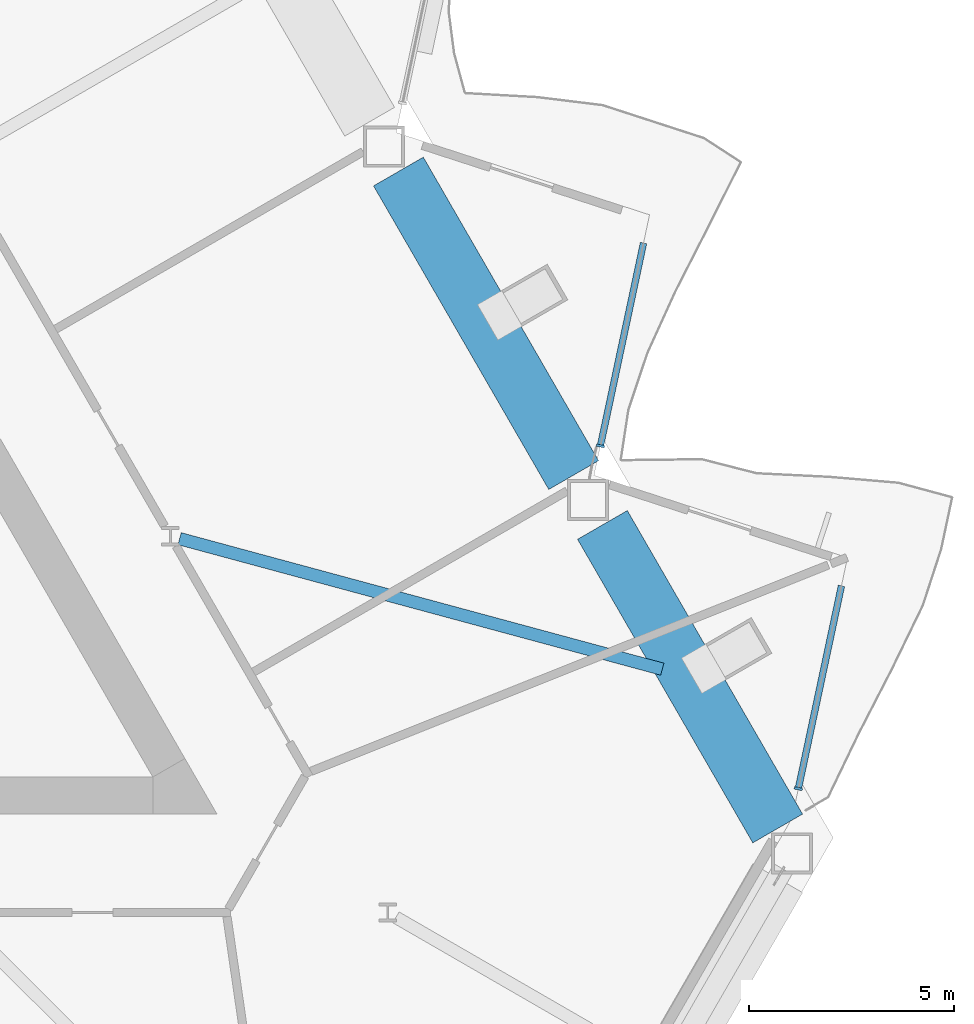
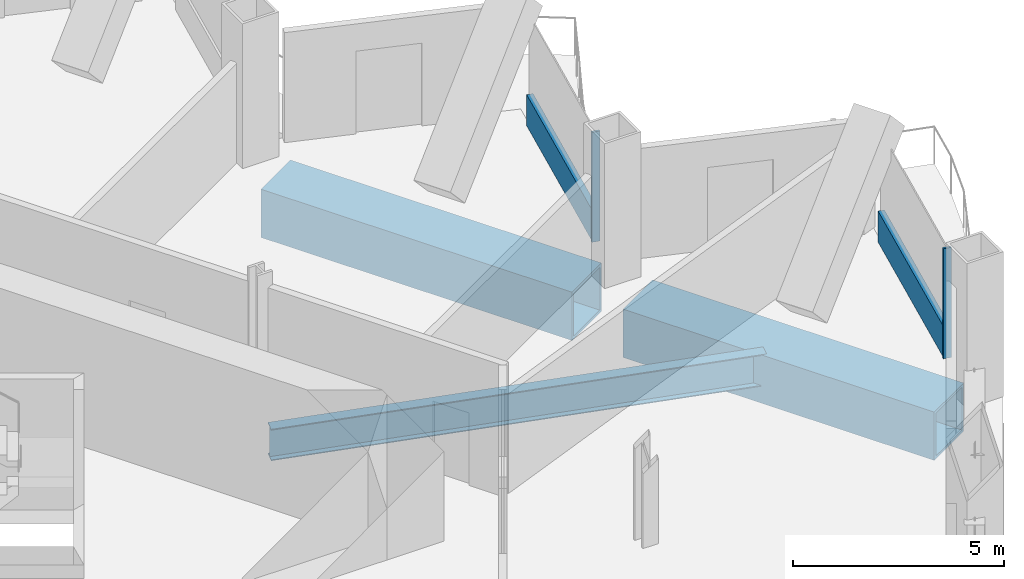
# One storey, part 5 of 22: 4 members, 3 beams, 2 elements without a shape of their own.
"""IFC4 building model written with IfcOpenShell, lengths in metres."""

from ifc_helpers import new_model, si_unit, direction, frame, origin, origin_2d, place, context, subcontext, project, spatial, rectangle, hollow_rectangle, i_section, extrude, material, layer, layer_set, material_profile, profile_set, type_object, element, aggregate, save


model = new_model("IFC4")

# Units and contexts
model_context = context("Model", 3, precision=1e-05, world=origin(), true_north=direction((0.0, 1.0)))
body_context = subcontext(model_context, "Body", "Model", "MODEL_VIEW")
ifc_project = project(units=[si_unit("LENGTHUNIT", "METRE"), si_unit("AREAUNIT", "SQUARE_METRE"), si_unit("VOLUMEUNIT", "CUBIC_METRE"), si_unit("PLANEANGLEUNIT", "RADIAN"), si_unit("MASSUNIT", "GRAM", prefix="KILO")], contexts=[model_context])

# Site, building, storey
site_placement = place(None, origin())
site = spatial("IfcSite", under=ifc_project, at=site_placement, CompositionType="ELEMENT")
building_placement = place(site_placement, origin())
building = spatial("IfcBuilding", under=site, at=building_placement, Name="Cormorant Prow Tower", CompositionType="ELEMENT")
storey_placement = place(building_placement, frame((0.0, 0.0, 30.0)))
storey = spatial("IfcBuildingStorey", under=building, at=storey_placement, Name="L05", CompositionType="ELEMENT", Elevation=30.0)

# Curtain wall, member
ifc_material_1 = material(Name="Aluminium 6063-T6", Category="aluminium")
ifc_layer = layer(ifc_material_1, 0.199951171875)
ifc_layer_set = layer_set([ifc_layer], Name="Aluminium 6063-T6")
curtain_wall_type = type_object("IfcCurtainWallType", Name="Office unitised curtain wall 200", PredefinedType="NOTDEFINED", material=ifc_layer_set)
curtain_wall_1_placement = place(storey_placement, origin())
curtain_wall_1 = element("IfcCurtainWall", 1, at=curtain_wall_1_placement, inside=storey, type_object=curtain_wall_type, Name="Office curtain wall ENE00", PredefinedType="NOTDEFINED")
ifc_material_2 = material(Name="Aluminium 6063-T6", Category="aluminium")
ifc_material_profile_1 = material_profile(ifc_material_2, rectangle(XDim=0.199951171875, YDim=0.06005859375, at=origin_2d()), Name="Office mullion 60x200")
ifc_profile_set_1 = profile_set([ifc_material_profile_1], Name="Aluminium 6063-T6")
member_type_1 = type_object("IfcMemberType", Name="Office mullion 60x200", PredefinedType="MULLION", material=ifc_profile_set_1)
member_1_placement = place(storey_placement, frame((31.15234375, -9.19921875, 0.0), z_axis=(0.0, 0.0, 1.0), x_axis=(-0.978147585671, 0.207911761683, 0.0)))
member_1 = element("IfcMember", 2, at=member_1_placement, type_object=member_type_1, Name="Office mullion ENE00", PredefinedType="MULLION", context=body_context, shape_type="SweptSolid", body=[
    extrude(rectangle(XDim=0.199951171875, YDim=0.06005859375, at=origin_2d()), origin(), (0.0, 0.0, 1.0), 3.18896484375),
])

curtain_wall_2_placement = place(storey_placement, origin())
curtain_wall_2 = element("IfcCurtainWall", 3, at=curtain_wall_2_placement, inside=storey, type_object=curtain_wall_type, Name="Office curtain wall ENE02", PredefinedType="NOTDEFINED")
member_2_placement = place(storey_placement, frame((26.3349609375, -0.85498046875, 0.0), z_axis=(0.0, 0.0, 1.0), x_axis=(-0.978147617041, 0.207911614097, 0.0)))
member_2 = element("IfcMember", 4, at=member_2_placement, type_object=member_type_1, Name="Office mullion ENE02", PredefinedType="MULLION", context=body_context, shape_type="SweptSolid", body=[
    extrude(rectangle(XDim=0.199951171875, YDim=0.06005859375, at=origin_2d()), origin(), (0.0, 0.0, 1.0), 3.18896484375),
])

# Member
ifc_material_3 = material(Name="Terracotta", Category="masonry")
ifc_material_profile_2 = material_profile(ifc_material_3, rectangle(XDim=0.159912109375, YDim=0.89990234375, at=origin_2d()), Name="Office terracotta spandrel rail 160x900")
ifc_profile_set_2 = profile_set([ifc_material_profile_2], Name="Terracotta")
member_type_2 = type_object("IfcMemberType", Name="Office terracotta spandrel rail 160x900", PredefinedType="USERDEFINED", material=ifc_profile_set_2)
member_3_placement = place(storey_placement, frame((31.15869140625, -9.169921875, 0.449951171875), z_axis=(0.20790357337, 0.978149326115, 0.0), x_axis=(-0.978149326115, 0.20790357337, 0.0)))
member_3 = element("IfcMember", 5, at=member_3_placement, type_object=member_type_2, Name="Office spandrel rail ENE00", ObjectType="TRANSOM", PredefinedType="USERDEFINED", context=body_context, shape_type="SweptSolid", body=[
    extrude(rectangle(XDim=0.159912109375, YDim=0.89990234375, at=origin_2d()), origin(), (0.0, 0.0, 1.0), 5.0166015625),
])

aggregate(curtain_wall_1, [member_1, member_3])

member_4_placement = place(storey_placement, frame((26.341064453125, -0.82568359375, 0.449951171875), z_axis=(0.20790357337, 0.978149326115, 0.0), x_axis=(-0.978149326115, 0.20790357337, 0.0)))
member_4 = element("IfcMember", 6, at=member_4_placement, type_object=member_type_2, Name="Office spandrel rail ENE02", ObjectType="TRANSOM", PredefinedType="USERDEFINED", context=body_context, shape_type="SweptSolid", body=[
    extrude(rectangle(XDim=0.159912109375, YDim=0.89990234375, at=origin_2d()), origin(), (0.0, 0.0, 1.0), 5.0166015625),
])

aggregate(curtain_wall_2, [member_2, member_4])

# Beams
ifc_material_4 = material(Name="Structural steel ASTM A992 Gr 50", Category="steel")
ifc_material_profile_3 = material_profile(ifc_material_4, i_section(OverallWidth=0.3046875, OverallDepth=0.914794921875, WebThickness=0.0166015625, FlangeThickness=0.02587890625, at=origin_2d()), Name="W36x160")
ifc_profile_set_3 = profile_set([ifc_material_profile_3], Name="Structural steel ASTM A992 Gr 50")
beam_type_1 = type_object("IfcBeamType", Name="Radial floor beam W36x160", PredefinedType="BEAM", material=ifc_profile_set_3)
beam_1_placement = place(storey_placement, frame((16.092041015625, -3.1142578125, -0.857421875), z_axis=(0.965352058429, -0.260950959545, 0.0), x_axis=(0.260950959545, 0.965352058429, 0.0)))
element("IfcBeam", 7, at=beam_1_placement, inside=storey, type_object=beam_type_1, Name="Radial floor beam FB1 10 L05", PredefinedType="BEAM", context=body_context, shape_type="SweptSolid", body=[
    extrude(i_section(OverallWidth=0.3046875, OverallDepth=0.914794921875, WebThickness=0.0166015625, FlangeThickness=0.02587890625, at=origin_2d()), origin(), (0.0, 0.0, 1.0), 12.1708984375),
])
ifc_material_5 = material(Name="Structural steel ASTM A572 Gr 50", Category="steel")
ifc_material_profile_4 = material_profile(ifc_material_5, hollow_rectangle(XDim=1.39990234375, YDim=1.39990234375, WallThickness=0.080078125, at=origin_2d()), Name="Box 1400x1400x80")
ifc_profile_set_4 = profile_set([ifc_material_profile_4], Name="Structural steel ASTM A572 Gr 50")
beam_type_2 = type_object("IfcBeamType", Name="Transfer girder 1400x1400x80", PredefinedType="BEAM", material=ifc_profile_set_4)
beam_2_placement = place(storey_placement, frame((30.64990234375, -10.16748046875, -1.10009765625), z_axis=(-0.499989142795, 0.866031672104, 0.0), x_axis=(-0.866031672104, -0.499989142795, 0.0)))
element("IfcBeam", 8, at=beam_2_placement, inside=storey, type_object=beam_type_2, Name="Transfer girder TG1 ENE00-ENE02 L05", PredefinedType="BEAM", context=body_context, shape_type="SweptSolid", body=[
    extrude(hollow_rectangle(XDim=1.39990234375, YDim=1.39990234375, WallThickness=0.080078125, at=origin_2d()), origin(), (0.0, 0.0, 1.0), 8.531982421875),
])
beam_3_placement = place(storey_placement, frame((25.683837890625, -1.566162109375, -1.10009765625), z_axis=(-0.49997675259, 0.866038825267, 0.0), x_axis=(-0.866038825267, -0.49997675259, 0.0)))
element("IfcBeam", 9, at=beam_3_placement, inside=storey, type_object=beam_type_2, Name="Transfer girder TG1 ENE02-ENE04 L05", PredefinedType="BEAM", context=body_context, shape_type="SweptSolid", body=[
    extrude(hollow_rectangle(XDim=1.39990234375, YDim=1.39990234375, WallThickness=0.080078125, at=origin_2d()), origin(), (0.0, 0.0, 1.0), 8.5322265625),
])

save(model, "model.ifc")
